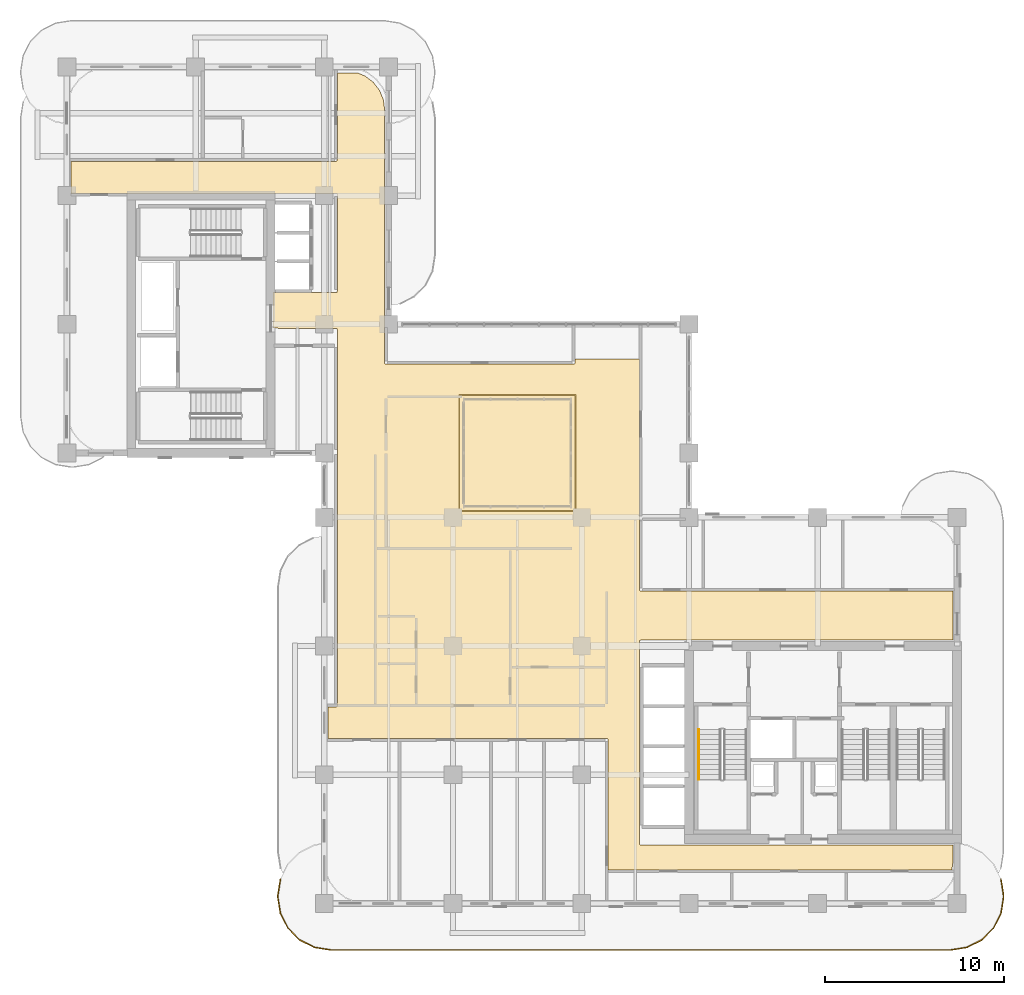
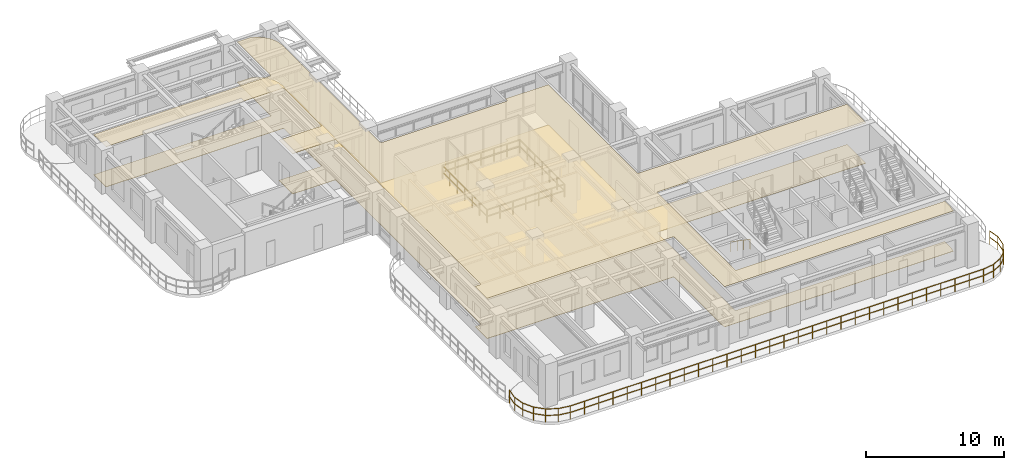
# One storey, part 18 of 20: 3 railings, 2 coverings.
"""IFC4 building model written with IfcOpenShell, lengths in metres."""

from ifc_helpers import new_model, si_unit, derived_unit, direction, frame, origin, origin_2d, place, context, subcontext, project, spatial, polyline, rectangle, outline, extrude, material, layer, layer_set, type_object, element, save


model = new_model("IFC4")

# Units and contexts
model_context = context("Model", 3, precision=1e-05, world=origin(), true_north=direction((0.0, 1.0)))
body_context = subcontext(model_context, "Body", "Model", "MODEL_VIEW")
ifc_project = project(units=[si_unit("LENGTHUNIT", "METRE"), si_unit("AREAUNIT", "SQUARE_METRE"), si_unit("VOLUMEUNIT", "CUBIC_METRE"), si_unit("PLANEANGLEUNIT", "RADIAN"), si_unit("MASSUNIT", "GRAM", prefix="KILO"), si_unit("THERMODYNAMICTEMPERATUREUNIT", "KELVIN"), si_unit("POWERUNIT", "WATT"), derived_unit("THERMALTRANSMITTANCEUNIT", [(si_unit("POWERUNIT", "WATT"), 1), (si_unit("AREAUNIT", "SQUARE_METRE"), -1), (si_unit("THERMODYNAMICTEMPERATUREUNIT", "KELVIN"), -1)])], contexts=[model_context])

# Site, building, storey
site_placement = place(None, origin())
site = spatial("IfcSite", under=ifc_project, at=site_placement, CompositionType="ELEMENT")
building_placement = place(site_placement, origin())
building = spatial("IfcBuilding", under=site, at=building_placement, Name="Zahravan Archway Hotel and Residences", CompositionType="ELEMENT")
storey_placement = place(building_placement, frame((0.0, 0.0, 161.85009765625)))
storey = spatial("IfcBuildingStorey", under=building, at=storey_placement, Name="L40", CompositionType="ELEMENT", Elevation=161.85009765625)

# Coverings
ifc_material_1 = material(Name="Perforated Acoustic Gypsum Ceiling")
ifc_layer_1 = layer(ifc_material_1, 0.02490234375, Name="Perforated Acoustic Gypsum Ceiling")
ifc_layer_set_1 = layer_set([ifc_layer_1], Name="Perforated Acoustic Gypsum Ceiling")
covering_type_1 = type_object("IfcCoveringType", Name="COV-CEIL-ACST", PredefinedType="CEILING", material=ifc_layer_set_1)
covering_1_placement = place(storey_placement, frame((0.0, 0.0, 3.574951171875)))
element("IfcCovering", 1, at=covering_1_placement, inside=storey, type_object=covering_type_1, Name="L40 Acoustic Corridor Ceiling", PredefinedType="CEILING", context=body_context, shape_type="SweptSolid", body=[
    extrude(outline(polyline([(32.021484375, 3.33447265625), (32.04345703125, 3.29345703125), (32.08447265625, 3.271484375), (49.580078125, 3.27001953125), (49.580078125, 2.414306640625), (49.509521484375, 1.8798828125), (30.280029296875, 1.8798828125), (30.280029296875, 9.14990234375), (30.2666015625, 9.1943359375), (30.230712890625, 9.223876953125), (14.6201171875, 9.22998046875), (14.6201171875, 10.989990234375), (15.050048828125, 10.989990234375), (15.094482421875, 11.00341796875), (15.123779296875, 11.039306640625), (15.1298828125, 32.10009765625), (15.116455078125, 32.144287109375), (15.08056640625, 32.173828125), (11.530029296875, 32.179931640625), (11.530029296875, 34.169921875), (15.050048828125, 34.169921875), (15.094482421875, 34.18359375), (15.123779296875, 34.219482421875), (15.1298828125, 39.64990234375), (15.116455078125, 39.6943359375), (15.08056640625, 39.723876953125), (0.22998046875, 39.72998046875), (0.22998046875, 41.52001953125), (15.050048828125, 41.52001953125), (15.094482421875, 41.533447265625), (15.123779296875, 41.5693359375), (15.1298828125, 46.469970703125), (16.24560546875, 46.469970703125), (16.689208984375, 46.286376953125), (17.14013671875, 45.940185546875), (17.486328125, 45.489013671875), (17.703857421875, 44.9638671875), (17.77001953125, 44.46142578125), (17.77001953125, 30.25), (17.783447265625, 30.20556640625), (17.8193359375, 30.176025390625), (28.35009765625, 30.169921875), (28.394287109375, 30.18359375), (28.423828125, 30.219482421875), (28.429931640625, 30.469970703125), (32.02001953125, 30.469970703125), (32.02001953125, 17.550048828125), (32.033447265625, 17.505615234375), (32.0693359375, 17.47607421875), (49.580078125, 17.469970703125), (49.580078125, 14.72998046875), (32.10009765625, 14.72998046875), (32.0556640625, 14.716552734375), (32.026123046875, 14.6806640625), (32.02001953125, 3.35009765625), (32.021484375, 3.33447265625)])), origin(), (0.0, 0.0, 1.0), 0.02490234375),
])
ifc_material_2 = material(Name="Honed Margalla Limestone & Mortar Bed", Category="masonry")
ifc_layer_2 = layer(ifc_material_2, 0.030029296875, Name="Honed Margalla Limestone & Mortar Bed", Category="masonry")
ifc_layer_set_2 = layer_set([ifc_layer_2], Name="Honed Margalla Limestone & Mortar Bed")
covering_type_2 = type_object("IfcCoveringType", Name="COV-FLR-STONE", PredefinedType="FLOORING", material=ifc_layer_set_2)
covering_2_placement = place(storey_placement, origin())
element("IfcCovering", 2, at=covering_2_placement, inside=storey, type_object=covering_type_2, Name="L40 Circulation Floor Finish", PredefinedType="FLOORING", context=body_context, shape_type="SweptSolid", body=[
    extrude(outline(polyline([(32.021484375, 3.33447265625), (32.04345703125, 3.29345703125), (32.08447265625, 3.271484375), (49.580078125, 3.27001953125), (49.580078125, 2.414306640625), (49.509521484375, 1.8798828125), (30.280029296875, 1.8798828125), (30.280029296875, 9.14990234375), (30.2666015625, 9.1943359375), (30.230712890625, 9.223876953125), (14.6201171875, 9.22998046875), (14.6201171875, 10.989990234375), (15.050048828125, 10.989990234375), (15.094482421875, 11.00341796875), (15.123779296875, 11.039306640625), (15.1298828125, 32.10009765625), (15.116455078125, 32.144287109375), (15.08056640625, 32.173828125), (11.530029296875, 32.179931640625), (11.530029296875, 34.169921875), (15.050048828125, 34.169921875), (15.094482421875, 34.18359375), (15.123779296875, 34.219482421875), (15.1298828125, 39.64990234375), (15.116455078125, 39.6943359375), (15.08056640625, 39.723876953125), (0.22998046875, 39.72998046875), (0.22998046875, 41.52001953125), (15.050048828125, 41.52001953125), (15.094482421875, 41.533447265625), (15.123779296875, 41.5693359375), (15.1298828125, 46.469970703125), (16.24560546875, 46.469970703125), (16.689208984375, 46.286376953125), (17.14013671875, 45.940185546875), (17.486328125, 45.489013671875), (17.703857421875, 44.9638671875), (17.77001953125, 44.46142578125), (17.77001953125, 30.25), (17.783447265625, 30.20556640625), (17.8193359375, 30.176025390625), (28.35009765625, 30.169921875), (28.394287109375, 30.18359375), (28.423828125, 30.219482421875), (28.429931640625, 30.469970703125), (32.02001953125, 30.469970703125), (32.02001953125, 17.550048828125), (32.033447265625, 17.505615234375), (32.0693359375, 17.47607421875), (49.580078125, 17.469970703125), (49.580078125, 14.72998046875), (32.10009765625, 14.72998046875), (32.0556640625, 14.716552734375), (32.026123046875, 14.6806640625), (32.02001953125, 3.35009765625), (32.021484375, 3.33447265625)])), origin(), (0.0, 0.0, 1.0), 0.02978515625),
])

# Railings
ifc_material_3 = material(Name="Atrium Laminated Glass Guardrail", Category="glass")
railing_type_1 = type_object("IfcRailingType", Name="RL-ATR-1200", PredefinedType="BALUSTRADE", material=ifc_material_3)
railing_1_placement = place(storey_placement, frame((21.949951171875, 21.949951171875, 0.0)))
element("IfcRailing", 3, at=railing_1_placement, inside=storey, type_object=railing_type_1, Name="L40 Balustrade RL-ATR-L40", PredefinedType="BALUSTRADE", context=body_context, shape_type="SweptSolid", body=[
    extrude(rectangle(XDim=0.048095703125, YDim=0.048095703125, at=origin_2d()), frame((0.0, 0.0, 1.17578125), z_axis=(1.0, 0.0, 0.0), x_axis=(0.0, 1.0, 0.0)), (0.0, 0.0, 1.0), 6.5),
    extrude(rectangle(XDim=0.048095703125, YDim=0.048095703125, at=origin_2d()), frame((0.0, 0.0, 0.60009765625), z_axis=(1.0, 0.0, 0.0), x_axis=(0.0, 1.0, 0.0)), (0.0, 0.0, 1.0), 6.5),
    extrude(rectangle(XDim=0.048095703125, YDim=0.048095703125, at=origin_2d()), frame((6.5, 0.0, 1.17578125), z_axis=(0.0, 1.0, 0.0), x_axis=(-1.0, 0.0, 0.0)), (0.0, 0.0, 1.0), 6.5),
    extrude(rectangle(XDim=0.048095703125, YDim=0.048095703125, at=origin_2d()), frame((6.5, 0.0, 0.60009765625), z_axis=(0.0, 1.0, 0.0), x_axis=(-1.0, 0.0, 0.0)), (0.0, 0.0, 1.0), 6.5),
    extrude(rectangle(XDim=0.048095703125, YDim=0.048095703125, at=origin_2d()), frame((6.5, 6.5, 1.17578125), z_axis=(-1.0, 0.0, 0.0), x_axis=(0.0, -1.0, 0.0)), (0.0, 0.0, 1.0), 6.5),
    extrude(rectangle(XDim=0.048095703125, YDim=0.048095703125, at=origin_2d()), frame((6.5, 6.5, 0.60009765625), z_axis=(-1.0, 0.0, 0.0), x_axis=(0.0, -1.0, 0.0)), (0.0, 0.0, 1.0), 6.5),
    extrude(rectangle(XDim=0.048095703125, YDim=0.048095703125, at=origin_2d()), frame((0.0, 6.5, 1.17578125), z_axis=(0.0, -1.0, 0.0), x_axis=(1.0, 0.0, 0.0)), (0.0, 0.0, 1.0), 6.5),
    extrude(rectangle(XDim=0.048095703125, YDim=0.048095703125, at=origin_2d()), frame((0.0, 6.5, 0.60009765625), z_axis=(0.0, -1.0, 0.0), x_axis=(1.0, 0.0, 0.0)), (0.0, 0.0, 1.0), 6.5),
    extrude(rectangle(XDim=0.0419921875, YDim=0.0419921875, at=origin_2d()), origin(), (0.0, 0.0, 1.0), 1.15185546875),
    extrude(rectangle(XDim=0.0419921875, YDim=0.0419921875, at=origin_2d()), frame((1.083251953125, 0.0, 0.0)), (0.0, 0.0, 1.0), 1.15185546875),
    extrude(rectangle(XDim=0.0419921875, YDim=0.0419921875, at=origin_2d()), frame((2.166748046875, 0.0, 0.0)), (0.0, 0.0, 1.0), 1.15185546875),
    extrude(rectangle(XDim=0.0419921875, YDim=0.0419921875, at=origin_2d()), frame((3.25, 0.0, 0.0)), (0.0, 0.0, 1.0), 1.15185546875),
    extrude(rectangle(XDim=0.0419921875, YDim=0.0419921875, at=origin_2d()), frame((4.333251953125, 0.0, 0.0)), (0.0, 0.0, 1.0), 1.15185546875),
    extrude(rectangle(XDim=0.0419921875, YDim=0.0419921875, at=origin_2d()), frame((5.416748046875, 0.0, 0.0)), (0.0, 0.0, 1.0), 1.15185546875),
    extrude(rectangle(XDim=0.0419921875, YDim=0.0419921875, at=origin_2d()), frame((6.5, 0.0, 0.0)), (0.0, 0.0, 1.0), 1.15185546875),
    extrude(rectangle(XDim=0.0419921875, YDim=0.0419921875, at=origin_2d()), frame((6.5, 1.083251953125, 0.0)), (0.0, 0.0, 1.0), 1.15185546875),
    extrude(rectangle(XDim=0.0419921875, YDim=0.0419921875, at=origin_2d()), frame((6.5, 2.166748046875, 0.0)), (0.0, 0.0, 1.0), 1.15185546875),
    extrude(rectangle(XDim=0.0419921875, YDim=0.0419921875, at=origin_2d()), frame((6.5, 3.25, 0.0)), (0.0, 0.0, 1.0), 1.15185546875),
    extrude(rectangle(XDim=0.0419921875, YDim=0.0419921875, at=origin_2d()), frame((6.5, 4.333251953125, 0.0)), (0.0, 0.0, 1.0), 1.15185546875),
    extrude(rectangle(XDim=0.0419921875, YDim=0.0419921875, at=origin_2d()), frame((6.5, 5.416748046875, 0.0)), (0.0, 0.0, 1.0), 1.15185546875),
    extrude(rectangle(XDim=0.0419921875, YDim=0.0419921875, at=origin_2d()), frame((6.5, 6.5, 0.0)), (0.0, 0.0, 1.0), 1.15185546875),
    extrude(rectangle(XDim=0.0419921875, YDim=0.0419921875, at=origin_2d()), frame((5.416748046875, 6.5, 0.0)), (0.0, 0.0, 1.0), 1.15185546875),
    extrude(rectangle(XDim=0.0419921875, YDim=0.0419921875, at=origin_2d()), frame((4.333251953125, 6.5, 0.0)), (0.0, 0.0, 1.0), 1.15185546875),
    extrude(rectangle(XDim=0.0419921875, YDim=0.0419921875, at=origin_2d()), frame((3.25, 6.5, 0.0)), (0.0, 0.0, 1.0), 1.15185546875),
    extrude(rectangle(XDim=0.0419921875, YDim=0.0419921875, at=origin_2d()), frame((2.166748046875, 6.5, 0.0)), (0.0, 0.0, 1.0), 1.15185546875),
    extrude(rectangle(XDim=0.0419921875, YDim=0.0419921875, at=origin_2d()), frame((1.083251953125, 6.5, 0.0)), (0.0, 0.0, 1.0), 1.15185546875),
    extrude(rectangle(XDim=0.0419921875, YDim=0.0419921875, at=origin_2d()), frame((0.0, 6.5, 0.0)), (0.0, 0.0, 1.0), 1.15185546875),
    extrude(rectangle(XDim=0.0419921875, YDim=0.0419921875, at=origin_2d()), frame((0.0, 5.416748046875, 0.0)), (0.0, 0.0, 1.0), 1.15185546875),
    extrude(rectangle(XDim=0.0419921875, YDim=0.0419921875, at=origin_2d()), frame((0.0, 4.333251953125, 0.0)), (0.0, 0.0, 1.0), 1.15185546875),
    extrude(rectangle(XDim=0.0419921875, YDim=0.0419921875, at=origin_2d()), frame((0.0, 3.25, 0.0)), (0.0, 0.0, 1.0), 1.15185546875),
    extrude(rectangle(XDim=0.0419921875, YDim=0.0419921875, at=origin_2d()), frame((0.0, 2.166748046875, 0.0)), (0.0, 0.0, 1.0), 1.15185546875),
    extrude(rectangle(XDim=0.0419921875, YDim=0.0419921875, at=origin_2d()), frame((0.0, 1.083251953125, 0.0)), (0.0, 0.0, 1.0), 1.15185546875),
])
ifc_material_4 = material(Name="Bronze & Laminated Glass Balustrade", Category="glass")
railing_type_2 = type_object("IfcRailingType", Name="RL-BAL-1200", PredefinedType="BALUSTRADE", material=ifc_material_4)
railing_2_placement = place(storey_placement, frame((52.255615234375, 1.361572265625, 0.0)))
element("IfcRailing", 4, at=railing_2_placement, inside=storey, type_object=railing_type_2, Name="L40 Balustrade RL-SLB-BAL-L40-SA-1", PredefinedType="BALUSTRADE", context=body_context, shape_type="SweptSolid", body=[
    extrude(rectangle(XDim=0.048095703125, YDim=0.048095703125, at=origin_2d()), frame((0.0, 0.0, 1.17578125), z_axis=(0.156329311416, -0.987704989555, 0.0), x_axis=(0.987704989555, 0.156329311416, 0.0)), (0.0, 0.0, 1.0), 0.9228515625),
    extrude(rectangle(XDim=0.048095703125, YDim=0.048095703125, at=origin_2d()), frame((0.0, 0.0, 0.60009765625), z_axis=(0.156329311416, -0.987704989555, 0.0), x_axis=(0.987704989555, 0.156329311416, 0.0)), (0.0, 0.0, 1.0), 0.9228515625),
    extrude(rectangle(XDim=0.048095703125, YDim=0.048095703125, at=origin_2d()), frame((0.144287109375, -0.91162109375, 1.17578125), z_axis=(0.0, -1.0, 0.0), x_axis=(1.0, 0.0, 0.0)), (0.0, 0.0, 1.0), 0.099853515625),
    extrude(rectangle(XDim=0.048095703125, YDim=0.048095703125, at=origin_2d()), frame((0.144287109375, -0.91162109375, 0.60009765625), z_axis=(0.0, -1.0, 0.0), x_axis=(1.0, 0.0, 0.0)), (0.0, 0.0, 1.0), 0.099853515625),
    extrude(rectangle(XDim=0.048095703125, YDim=0.048095703125, at=origin_2d()), frame((0.144287109375, -1.011474609375, 1.17578125), z_axis=(-0.156329311416, -0.987704989555, 0.0), x_axis=(0.987704989555, -0.156329311416, 0.0)), (0.0, 0.0, 1.0), 0.9228515625),
    extrude(rectangle(XDim=0.048095703125, YDim=0.048095703125, at=origin_2d()), frame((0.144287109375, -1.011474609375, 0.60009765625), z_axis=(-0.156329311416, -0.987704989555, 0.0), x_axis=(0.987704989555, -0.156329311416, 0.0)), (0.0, 0.0, 1.0), 0.9228515625),
    extrude(rectangle(XDim=0.048095703125, YDim=0.048095703125, at=origin_2d()), frame((0.0, -1.923095703125, 1.17578125), z_axis=(-0.453866348456, -0.891069771532, 0.0), x_axis=(0.891069771532, -0.453866348456, 0.0)), (0.0, 0.0, 1.0), 0.923095703125),
    extrude(rectangle(XDim=0.048095703125, YDim=0.048095703125, at=origin_2d()), frame((0.0, -1.923095703125, 0.60009765625), z_axis=(-0.453866348456, -0.891069771532, 0.0), x_axis=(0.891069771532, -0.453866348456, 0.0)), (0.0, 0.0, 1.0), 0.923095703125),
    extrude(rectangle(XDim=0.048095703125, YDim=0.048095703125, at=origin_2d()), frame((-0.4189453125, -2.74560546875, 1.17578125), z_axis=(-0.707106781187, -0.707106781187, 0.0), x_axis=(0.707106781187, -0.707106781187, 0.0)), (0.0, 0.0, 1.0), 0.9228515625),
    extrude(rectangle(XDim=0.048095703125, YDim=0.048095703125, at=origin_2d()), frame((-0.4189453125, -2.74560546875, 0.60009765625), z_axis=(-0.707106781187, -0.707106781187, 0.0), x_axis=(0.707106781187, -0.707106781187, 0.0)), (0.0, 0.0, 1.0), 0.9228515625),
    extrude(rectangle(XDim=0.048095703125, YDim=0.048095703125, at=origin_2d()), frame((-1.071533203125, -3.398193359375, 1.17578125), z_axis=(-0.891069771532, -0.453866348456, 0.0), x_axis=(0.453866348456, -0.891069771532, 0.0)), (0.0, 0.0, 1.0), 0.923095703125),
    extrude(rectangle(XDim=0.048095703125, YDim=0.048095703125, at=origin_2d()), frame((-1.071533203125, -3.398193359375, 0.60009765625), z_axis=(-0.891069771532, -0.453866348456, 0.0), x_axis=(0.453866348456, -0.891069771532, 0.0)), (0.0, 0.0, 1.0), 0.923095703125),
    extrude(rectangle(XDim=0.048095703125, YDim=0.048095703125, at=origin_2d()), frame((-1.89404296875, -3.817138671875, 1.17578125), z_axis=(-0.98766411426, -0.156587347521, 0.0), x_axis=(0.156587347521, -0.98766411426, 0.0)), (0.0, 0.0, 1.0), 0.923095703125),
    extrude(rectangle(XDim=0.048095703125, YDim=0.048095703125, at=origin_2d()), frame((-1.89404296875, -3.817138671875, 0.60009765625), z_axis=(-0.98766411426, -0.156587347521, 0.0), x_axis=(0.156587347521, -0.98766411426, 0.0)), (0.0, 0.0, 1.0), 0.923095703125),
    extrude(rectangle(XDim=0.048095703125, YDim=0.048095703125, at=origin_2d()), frame((-2.8056640625, -3.961669921875, 1.17578125), z_axis=(-1.0, 0.0, 0.0), x_axis=(0.0, -1.0, 0.0)), (0.0, 0.0, 1.0), 34.699951171875),
    extrude(rectangle(XDim=0.048095703125, YDim=0.048095703125, at=origin_2d()), frame((-2.8056640625, -3.961669921875, 0.60009765625), z_axis=(-1.0, 0.0, 0.0), x_axis=(0.0, -1.0, 0.0)), (0.0, 0.0, 1.0), 34.699951171875),
    extrude(rectangle(XDim=0.048095703125, YDim=0.048095703125, at=origin_2d()), frame((-37.505615234375, -3.961669921875, 1.17578125), z_axis=(-0.98766411426, 0.156587347521, 0.0), x_axis=(-0.156587347521, -0.98766411426, 0.0)), (0.0, 0.0, 1.0), 0.923095703125),
    extrude(rectangle(XDim=0.048095703125, YDim=0.048095703125, at=origin_2d()), frame((-37.505615234375, -3.961669921875, 0.60009765625), z_axis=(-0.98766411426, 0.156587347521, 0.0), x_axis=(-0.156587347521, -0.98766411426, 0.0)), (0.0, 0.0, 1.0), 0.923095703125),
    extrude(rectangle(XDim=0.048095703125, YDim=0.048095703125, at=origin_2d()), frame((-38.417236328125, -3.817138671875, 1.17578125), z_axis=(-0.891015268556, 0.453973337542, 0.0), x_axis=(-0.453973337542, -0.891015268556, 0.0)), (0.0, 0.0, 1.0), 0.9228515625),
    extrude(rectangle(XDim=0.048095703125, YDim=0.048095703125, at=origin_2d()), frame((-38.417236328125, -3.817138671875, 0.60009765625), z_axis=(-0.891015268556, 0.453973337542, 0.0), x_axis=(-0.453973337542, -0.891015268556, 0.0)), (0.0, 0.0, 1.0), 0.9228515625),
    extrude(rectangle(XDim=0.048095703125, YDim=0.048095703125, at=origin_2d()), frame((-39.239501953125, -3.398193359375, 1.17578125), z_axis=(-0.707239012465, 0.706974525176, 0.0), x_axis=(-0.706974525176, -0.707239012465, 0.0)), (0.0, 0.0, 1.0), 0.923095703125),
    extrude(rectangle(XDim=0.048095703125, YDim=0.048095703125, at=origin_2d()), frame((-39.239501953125, -3.398193359375, 0.60009765625), z_axis=(-0.707239012465, 0.706974525176, 0.0), x_axis=(-0.706974525176, -0.707239012465, 0.0)), (0.0, 0.0, 1.0), 0.923095703125),
    extrude(rectangle(XDim=0.048095703125, YDim=0.048095703125, at=origin_2d()), frame((-39.892333984375, -2.74560546875, 1.17578125), z_axis=(-0.453866348456, 0.891069771532, 0.0), x_axis=(-0.891069771532, -0.453866348456, 0.0)), (0.0, 0.0, 1.0), 0.923095703125),
    extrude(rectangle(XDim=0.048095703125, YDim=0.048095703125, at=origin_2d()), frame((-39.892333984375, -2.74560546875, 0.60009765625), z_axis=(-0.453866348456, 0.891069771532, 0.0), x_axis=(-0.891069771532, -0.453866348456, 0.0)), (0.0, 0.0, 1.0), 0.923095703125),
    extrude(rectangle(XDim=0.048095703125, YDim=0.048095703125, at=origin_2d()), frame((-40.311279296875, -1.923095703125, 1.17578125), z_axis=(-0.156329311416, 0.987704989555, 0.0), x_axis=(-0.987704989555, -0.156329311416, 0.0)), (0.0, 0.0, 1.0), 0.9228515625),
    extrude(rectangle(XDim=0.048095703125, YDim=0.048095703125, at=origin_2d()), frame((-40.311279296875, -1.923095703125, 0.60009765625), z_axis=(-0.156329311416, 0.987704989555, 0.0), x_axis=(-0.987704989555, -0.156329311416, 0.0)), (0.0, 0.0, 1.0), 0.9228515625),
    extrude(rectangle(XDim=0.048095703125, YDim=0.048095703125, at=origin_2d()), frame((-40.45556640625, -1.011474609375, 1.17578125), z_axis=(0.0, 1.0, 0.0), x_axis=(-1.0, 0.0, 0.0)), (0.0, 0.0, 1.0), 0.099853515625),
    extrude(rectangle(XDim=0.048095703125, YDim=0.048095703125, at=origin_2d()), frame((-40.45556640625, -1.011474609375, 0.60009765625), z_axis=(0.0, 1.0, 0.0), x_axis=(-1.0, 0.0, 0.0)), (0.0, 0.0, 1.0), 0.099853515625),
    extrude(rectangle(XDim=0.048095703125, YDim=0.048095703125, at=origin_2d()), frame((-40.45556640625, -0.91162109375, 1.17578125), z_axis=(0.156329311416, 0.987704989555, 0.0), x_axis=(-0.987704989555, 0.156329311416, 0.0)), (0.0, 0.0, 1.0), 0.9228515625),
    extrude(rectangle(XDim=0.048095703125, YDim=0.048095703125, at=origin_2d()), frame((-40.45556640625, -0.91162109375, 0.60009765625), z_axis=(0.156329311416, 0.987704989555, 0.0), x_axis=(-0.987704989555, 0.156329311416, 0.0)), (0.0, 0.0, 1.0), 0.9228515625),
    extrude(rectangle(XDim=0.0419921875, YDim=0.0419921875, at=origin_2d()), origin(), (0.0, 0.0, 1.0), 1.15185546875),
    extrude(rectangle(XDim=0.0419921875, YDim=0.0419921875, at=origin_2d()), frame((0.144287109375, -0.91162109375, 0.0)), (0.0, 0.0, 1.0), 1.15185546875),
    extrude(rectangle(XDim=0.0419921875, YDim=0.0419921875, at=origin_2d()), frame((0.0, -1.923095703125, 0.0)), (0.0, 0.0, 1.0), 1.15185546875),
    extrude(rectangle(XDim=0.0419921875, YDim=0.0419921875, at=origin_2d()), frame((-0.4189453125, -2.74560546875, 0.0)), (0.0, 0.0, 1.0), 1.15185546875),
    extrude(rectangle(XDim=0.0419921875, YDim=0.0419921875, at=origin_2d()), frame((-1.071533203125, -3.398193359375, 0.0)), (0.0, 0.0, 1.0), 1.15185546875),
    extrude(rectangle(XDim=0.0419921875, YDim=0.0419921875, at=origin_2d()), frame((-1.89404296875, -3.817138671875, 0.0)), (0.0, 0.0, 1.0), 1.15185546875),
    extrude(rectangle(XDim=0.0419921875, YDim=0.0419921875, at=origin_2d()), frame((-2.8056640625, -3.961669921875, 0.0)), (0.0, 0.0, 1.0), 1.15185546875),
    extrude(rectangle(XDim=0.0419921875, YDim=0.0419921875, at=origin_2d()), frame((-4.002197265625, -3.961669921875, 0.0)), (0.0, 0.0, 1.0), 1.15185546875),
    extrude(rectangle(XDim=0.0419921875, YDim=0.0419921875, at=origin_2d()), frame((-5.19873046875, -3.961669921875, 0.0)), (0.0, 0.0, 1.0), 1.15185546875),
    extrude(rectangle(XDim=0.0419921875, YDim=0.0419921875, at=origin_2d()), frame((-6.395263671875, -3.961669921875, 0.0)), (0.0, 0.0, 1.0), 1.15185546875),
    extrude(rectangle(XDim=0.0419921875, YDim=0.0419921875, at=origin_2d()), frame((-7.591796875, -3.961669921875, 0.0)), (0.0, 0.0, 1.0), 1.15185546875),
    extrude(rectangle(XDim=0.0419921875, YDim=0.0419921875, at=origin_2d()), frame((-8.788330078125, -3.961669921875, 0.0)), (0.0, 0.0, 1.0), 1.15185546875),
    extrude(rectangle(XDim=0.0419921875, YDim=0.0419921875, at=origin_2d()), frame((-9.98486328125, -3.961669921875, 0.0)), (0.0, 0.0, 1.0), 1.15185546875),
    extrude(rectangle(XDim=0.0419921875, YDim=0.0419921875, at=origin_2d()), frame((-11.181396484375, -3.961669921875, 0.0)), (0.0, 0.0, 1.0), 1.15185546875),
    extrude(rectangle(XDim=0.0419921875, YDim=0.0419921875, at=origin_2d()), frame((-12.378173828125, -3.961669921875, 0.0)), (0.0, 0.0, 1.0), 1.15185546875),
    extrude(rectangle(XDim=0.0419921875, YDim=0.0419921875, at=origin_2d()), frame((-13.57470703125, -3.961669921875, 0.0)), (0.0, 0.0, 1.0), 1.15185546875),
    extrude(rectangle(XDim=0.0419921875, YDim=0.0419921875, at=origin_2d()), frame((-14.771240234375, -3.961669921875, 0.0)), (0.0, 0.0, 1.0), 1.15185546875),
    extrude(rectangle(XDim=0.0419921875, YDim=0.0419921875, at=origin_2d()), frame((-15.9677734375, -3.961669921875, 0.0)), (0.0, 0.0, 1.0), 1.15185546875),
    extrude(rectangle(XDim=0.0419921875, YDim=0.0419921875, at=origin_2d()), frame((-17.164306640625, -3.961669921875, 0.0)), (0.0, 0.0, 1.0), 1.15185546875),
    extrude(rectangle(XDim=0.0419921875, YDim=0.0419921875, at=origin_2d()), frame((-18.36083984375, -3.961669921875, 0.0)), (0.0, 0.0, 1.0), 1.15185546875),
    extrude(rectangle(XDim=0.0419921875, YDim=0.0419921875, at=origin_2d()), frame((-19.557373046875, -3.961669921875, 0.0)), (0.0, 0.0, 1.0), 1.15185546875),
    extrude(rectangle(XDim=0.0419921875, YDim=0.0419921875, at=origin_2d()), frame((-20.75390625, -3.961669921875, 0.0)), (0.0, 0.0, 1.0), 1.15185546875),
    extrude(rectangle(XDim=0.0419921875, YDim=0.0419921875, at=origin_2d()), frame((-21.950439453125, -3.961669921875, 0.0)), (0.0, 0.0, 1.0), 1.15185546875),
    extrude(rectangle(XDim=0.0419921875, YDim=0.0419921875, at=origin_2d()), frame((-23.14697265625, -3.961669921875, 0.0)), (0.0, 0.0, 1.0), 1.15185546875),
    extrude(rectangle(XDim=0.0419921875, YDim=0.0419921875, at=origin_2d()), frame((-24.343505859375, -3.961669921875, 0.0)), (0.0, 0.0, 1.0), 1.15185546875),
    extrude(rectangle(XDim=0.0419921875, YDim=0.0419921875, at=origin_2d()), frame((-25.5400390625, -3.961669921875, 0.0)), (0.0, 0.0, 1.0), 1.15185546875),
    extrude(rectangle(XDim=0.0419921875, YDim=0.0419921875, at=origin_2d()), frame((-26.736572265625, -3.961669921875, 0.0)), (0.0, 0.0, 1.0), 1.15185546875),
    extrude(rectangle(XDim=0.0419921875, YDim=0.0419921875, at=origin_2d()), frame((-27.93310546875, -3.961669921875, 0.0)), (0.0, 0.0, 1.0), 1.15185546875),
    extrude(rectangle(XDim=0.0419921875, YDim=0.0419921875, at=origin_2d()), frame((-29.1298828125, -3.961669921875, 0.0)), (0.0, 0.0, 1.0), 1.15185546875),
    extrude(rectangle(XDim=0.0419921875, YDim=0.0419921875, at=origin_2d()), frame((-30.326416015625, -3.961669921875, 0.0)), (0.0, 0.0, 1.0), 1.15185546875),
    extrude(rectangle(XDim=0.0419921875, YDim=0.0419921875, at=origin_2d()), frame((-31.52294921875, -3.961669921875, 0.0)), (0.0, 0.0, 1.0), 1.15185546875),
    extrude(rectangle(XDim=0.0419921875, YDim=0.0419921875, at=origin_2d()), frame((-32.719482421875, -3.961669921875, 0.0)), (0.0, 0.0, 1.0), 1.15185546875),
    extrude(rectangle(XDim=0.0419921875, YDim=0.0419921875, at=origin_2d()), frame((-33.916015625, -3.961669921875, 0.0)), (0.0, 0.0, 1.0), 1.15185546875),
    extrude(rectangle(XDim=0.0419921875, YDim=0.0419921875, at=origin_2d()), frame((-35.112548828125, -3.961669921875, 0.0)), (0.0, 0.0, 1.0), 1.15185546875),
    extrude(rectangle(XDim=0.0419921875, YDim=0.0419921875, at=origin_2d()), frame((-36.30908203125, -3.961669921875, 0.0)), (0.0, 0.0, 1.0), 1.15185546875),
    extrude(rectangle(XDim=0.0419921875, YDim=0.0419921875, at=origin_2d()), frame((-37.505615234375, -3.961669921875, 0.0)), (0.0, 0.0, 1.0), 1.15185546875),
    extrude(rectangle(XDim=0.0419921875, YDim=0.0419921875, at=origin_2d()), frame((-38.417236328125, -3.817138671875, 0.0)), (0.0, 0.0, 1.0), 1.15185546875),
    extrude(rectangle(XDim=0.0419921875, YDim=0.0419921875, at=origin_2d()), frame((-39.239501953125, -3.398193359375, 0.0)), (0.0, 0.0, 1.0), 1.15185546875),
    extrude(rectangle(XDim=0.0419921875, YDim=0.0419921875, at=origin_2d()), frame((-39.892333984375, -2.74560546875, 0.0)), (0.0, 0.0, 1.0), 1.15185546875),
    extrude(rectangle(XDim=0.0419921875, YDim=0.0419921875, at=origin_2d()), frame((-40.311279296875, -1.923095703125, 0.0)), (0.0, 0.0, 1.0), 1.15185546875),
    extrude(rectangle(XDim=0.0419921875, YDim=0.0419921875, at=origin_2d()), frame((-40.45556640625, -1.011474609375, 0.0)), (0.0, 0.0, 1.0), 1.15185546875),
    extrude(rectangle(XDim=0.0419921875, YDim=0.0419921875, at=origin_2d()), frame((-40.311279296875, 0.0, 0.0)), (0.0, 0.0, 1.0), 1.15185546875),
])
ifc_material_5 = material(Name="Brushed Stainless Steel", Category="steel")
railing_type_3 = type_object("IfcRailingType", Name="RL-STH-900", PredefinedType="HANDRAIL", material=ifc_material_5)
railing_3_placement = place(storey_placement, frame((35.35009765625, 9.72998046875, 0.1748046875)))
element("IfcRailing", 5, at=railing_3_placement, inside=storey, type_object=railing_type_3, Name="L40 ST-A1 stair handrail 1", PredefinedType="HANDRAIL", context=body_context, shape_type="SweptSolid", body=[
    extrude(rectangle(XDim=0.048095703125, YDim=0.048095703125, at=origin_2d()), frame((0.0, 0.0, 0.8759765625), z_axis=(0.0, -0.824039827795, 0.566531872191), x_axis=(1.0, 0.0, 0.0)), (0.0, 0.0, 1.0), 3.39794921875),
    extrude(rectangle(XDim=0.0419921875, YDim=0.0419921875, at=origin_2d()), origin(), (0.0, 0.0, 1.0), 0.851806640625),
    extrude(rectangle(XDim=0.0419921875, YDim=0.0419921875, at=origin_2d()), frame((0.0, -0.933349609375, 0.6416015625)), (0.0, 0.0, 1.0), 0.851806640625),
    extrude(rectangle(XDim=0.0419921875, YDim=0.0419921875, at=origin_2d()), frame((0.0, -1.86669921875, 1.283447265625)), (0.0, 0.0, 1.0), 0.851806640625),
    extrude(rectangle(XDim=0.0419921875, YDim=0.0419921875, at=origin_2d()), frame((0.0, -2.800048828125, 1.925048828125)), (0.0, 0.0, 1.0), 0.851806640625),
])

save(model, "model.ifc")
